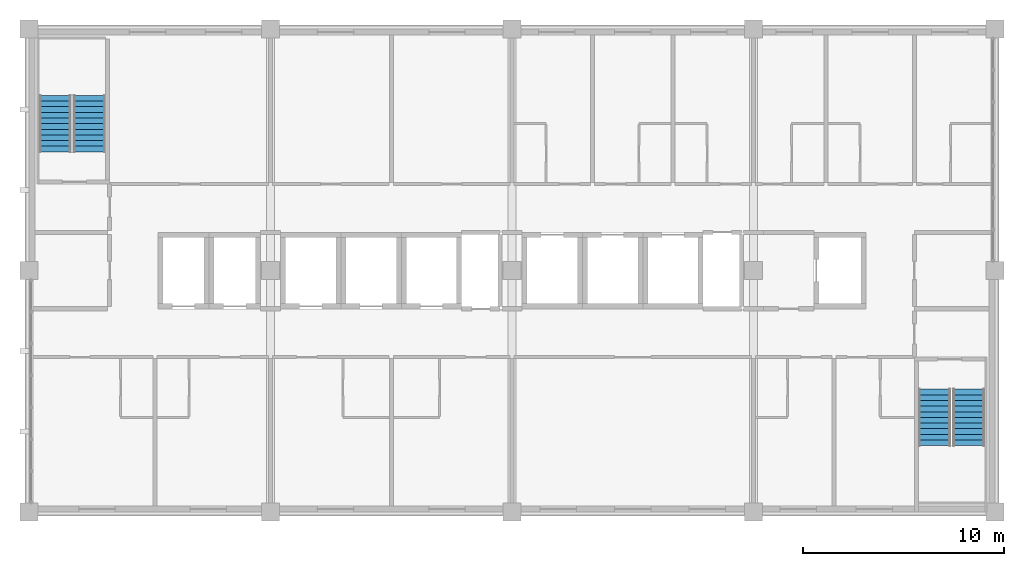
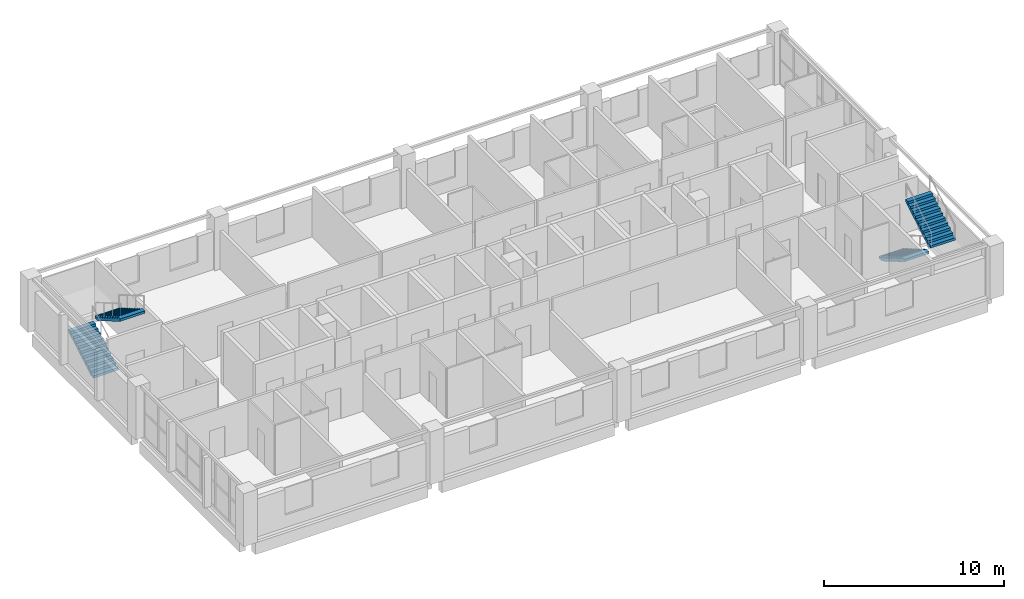
# One storey, part 10 of 11: 4 stair flights, 2 elements without a shape of their own.
"""IFC4 building model written with IfcOpenShell, lengths in metres."""

from ifc_helpers import new_model, si_unit, direction, frame, origin, place, context, subcontext, project, spatial, polyline, outline, extrude, material, type_object, element, aggregate, save


model = new_model("IFC4")

# Units and contexts
model_context = context("Model", 3, precision=1e-05, world=origin(), true_north=direction((0.0, 1.0)))
body_context = subcontext(model_context, "Body", "Model", "MODEL_VIEW")
ifc_project = project(units=[si_unit("LENGTHUNIT", "METRE"), si_unit("AREAUNIT", "SQUARE_METRE"), si_unit("VOLUMEUNIT", "CUBIC_METRE"), si_unit("PLANEANGLEUNIT", "RADIAN"), si_unit("MASSUNIT", "GRAM", prefix="KILO")], contexts=[model_context])

# Site, building, storey
site_placement = place(None, origin())
site = spatial("IfcSite", under=ifc_project, at=site_placement, CompositionType="ELEMENT")
building_placement = place(site_placement, origin())
building = spatial("IfcBuilding", under=site, at=building_placement, Name="Lilac Gate Convention Centre", CompositionType="ELEMENT")
storey_placement = place(building_placement, frame((0.0, 0.0, 31.800048828125)))
storey = spatial("IfcBuildingStorey", under=building, at=storey_placement, Name="L07", CompositionType="ELEMENT", Elevation=31.800048828125)

# Stair, stair flights
ifc_material = material(Name="Concrete C40", Category="concrete")
stair_type = type_object("IfcStairType", Name="Exit stair", PredefinedType="DOUBLE_RETURN_STAIR", material=ifc_material)
stair_1_placement = place(storey_placement, origin())
stair_1 = element("IfcStair", 1, at=stair_1_placement, inside=storey, type_object=stair_type, Name="Exit stair NW L07", PredefinedType="DOUBLE_RETURN_STAIR")
stair_flight_type = type_object("IfcStairFlightType", Name="Exit stair flight", PredefinedType="STRAIGHT", material=ifc_material)
stair_flight_1_placement = place(storey_placement, frame((43.300048828125, 239.89990234375, 0.0), z_axis=(0.0, 0.0, 1.0), x_axis=(0.0, 1.0, 0.0)))
stair_flight_1 = element("IfcStairFlight", 2, at=stair_flight_1_placement, type_object=stair_flight_type, Name="ST-NW flight 1", NumberOfRisers=11, NumberOfTreads=10, PredefinedType="STRAIGHT", RiserHeight=0.163636364, TreadLength=0.28, context=body_context, shape_type="SweptSolid", body=[
    extrude(outline(polyline([(0.0, 0.0), (0.0, 0.16357421875), (0.280029296875, 0.16357421875), (0.280029296875, 0.327392578125), (0.56005859375, 0.327392578125), (0.56005859375, 0.490966796875), (0.840087890625, 0.490966796875), (0.840087890625, 0.654541015625), (1.1201171875, 0.654541015625), (1.1201171875, 0.818115234375), (1.39990234375, 0.818115234375), (1.39990234375, 0.98193359375), (1.679931640625, 0.98193359375), (1.679931640625, 1.1455078125), (1.9599609375, 1.1455078125), (1.9599609375, 1.30908203125), (2.239990234375, 1.30908203125), (2.239990234375, 1.47265625), (2.52001953125, 1.47265625), (2.52001953125, 1.636474609375), (2.800048828125, 1.636474609375), (2.800048828125, 1.800048828125), (2.800048828125, 1.462646484375), (0.297119140625, 0.0), (0.0, 0.0)])), frame((0.0, 0.800048828125, 0.0), z_axis=(0.0, -1.0, 0.0), x_axis=(1.0, 0.0, 0.0)), (0.0, 0.0, 1.0), 1.60009765625),
])
stair_flight_2_placement = place(storey_placement, frame((45.0, 242.699951171875, 1.800048828125), z_axis=(0.0, 0.0, 1.0), x_axis=(0.0, -1.0, 0.0)))
stair_flight_2 = element("IfcStairFlight", 3, at=stair_flight_2_placement, type_object=stair_flight_type, Name="ST-NW flight 2", NumberOfRisers=11, NumberOfTreads=10, PredefinedType="STRAIGHT", RiserHeight=0.163636364, TreadLength=0.28, context=body_context, shape_type="SweptSolid", body=[
    extrude(outline(polyline([(0.0, 0.0), (0.0, 0.16357421875), (0.280029296875, 0.16357421875), (0.280029296875, 0.327392578125), (0.56005859375, 0.327392578125), (0.56005859375, 0.490966796875), (0.840087890625, 0.490966796875), (0.840087890625, 0.654541015625), (1.1201171875, 0.654541015625), (1.1201171875, 0.818115234375), (1.39990234375, 0.818115234375), (1.39990234375, 0.98193359375), (1.679931640625, 0.98193359375), (1.679931640625, 1.1455078125), (1.9599609375, 1.1455078125), (1.9599609375, 1.30908203125), (2.239990234375, 1.30908203125), (2.239990234375, 1.47265625), (2.52001953125, 1.47265625), (2.52001953125, 1.636474609375), (2.800048828125, 1.636474609375), (2.800048828125, 1.800048828125), (2.800048828125, 1.462646484375), (0.297119140625, 0.0), (0.0, 0.0)])), frame((0.0, 0.800048828125, 0.0), z_axis=(0.0, -1.0, 0.0), x_axis=(1.0, 0.0, 0.0)), (0.0, 0.0, 1.0), 1.60009765625),
])
aggregate(stair_1, [stair_flight_1, stair_flight_2])

stair_2_placement = place(storey_placement, origin())
stair_2 = element("IfcStair", 4, at=stair_2_placement, inside=storey, type_object=stair_type, Name="Exit stair SE L07", PredefinedType="DOUBLE_RETURN_STAIR")
stair_flight_3_placement = place(storey_placement, frame((87.0, 228.10009765625, 0.0), z_axis=(0.0, 0.0, 1.0), x_axis=(0.0, -1.0, 0.0)))
stair_flight_3 = element("IfcStairFlight", 5, at=stair_flight_3_placement, type_object=stair_flight_type, Name="ST-SE flight 1", NumberOfRisers=11, NumberOfTreads=10, PredefinedType="STRAIGHT", RiserHeight=0.163636364, TreadLength=0.28, context=body_context, shape_type="SweptSolid", body=[
    extrude(outline(polyline([(0.0, 0.0), (0.0, 0.16357421875), (0.280029296875, 0.16357421875), (0.280029296875, 0.327392578125), (0.56005859375, 0.327392578125), (0.56005859375, 0.490966796875), (0.840087890625, 0.490966796875), (0.840087890625, 0.654541015625), (1.1201171875, 0.654541015625), (1.1201171875, 0.818115234375), (1.39990234375, 0.818115234375), (1.39990234375, 0.98193359375), (1.679931640625, 0.98193359375), (1.679931640625, 1.1455078125), (1.9599609375, 1.1455078125), (1.9599609375, 1.30908203125), (2.239990234375, 1.30908203125), (2.239990234375, 1.47265625), (2.52001953125, 1.47265625), (2.52001953125, 1.636474609375), (2.800048828125, 1.636474609375), (2.800048828125, 1.800048828125), (2.800048828125, 1.462646484375), (0.297119140625, 0.0), (0.0, 0.0)])), frame((0.0, 0.800048828125, 0.0), z_axis=(0.0, -1.0, 0.0), x_axis=(1.0, 0.0, 0.0)), (0.0, 0.0, 1.0), 1.60009765625),
])
stair_flight_4_placement = place(storey_placement, frame((88.699951171875, 225.300048828125, 1.800048828125), z_axis=(0.0, 0.0, 1.0), x_axis=(0.0, 1.0, 0.0)))
stair_flight_4 = element("IfcStairFlight", 6, at=stair_flight_4_placement, type_object=stair_flight_type, Name="ST-SE flight 2", NumberOfRisers=11, NumberOfTreads=10, PredefinedType="STRAIGHT", RiserHeight=0.163636364, TreadLength=0.28, context=body_context, shape_type="SweptSolid", body=[
    extrude(outline(polyline([(0.0, 0.0), (0.0, 0.16357421875), (0.280029296875, 0.16357421875), (0.280029296875, 0.327392578125), (0.56005859375, 0.327392578125), (0.56005859375, 0.490966796875), (0.840087890625, 0.490966796875), (0.840087890625, 0.654541015625), (1.1201171875, 0.654541015625), (1.1201171875, 0.818115234375), (1.39990234375, 0.818115234375), (1.39990234375, 0.98193359375), (1.679931640625, 0.98193359375), (1.679931640625, 1.1455078125), (1.9599609375, 1.1455078125), (1.9599609375, 1.30908203125), (2.239990234375, 1.30908203125), (2.239990234375, 1.47265625), (2.52001953125, 1.47265625), (2.52001953125, 1.636474609375), (2.800048828125, 1.636474609375), (2.800048828125, 1.800048828125), (2.800048828125, 1.462646484375), (0.297119140625, 0.0), (0.0, 0.0)])), frame((0.0, 0.800048828125, 0.0), z_axis=(0.0, -1.0, 0.0), x_axis=(1.0, 0.0, 0.0)), (0.0, 0.0, 1.0), 1.60009765625),
])
aggregate(stair_2, [stair_flight_3, stair_flight_4])

save(model, "model.ifc")
